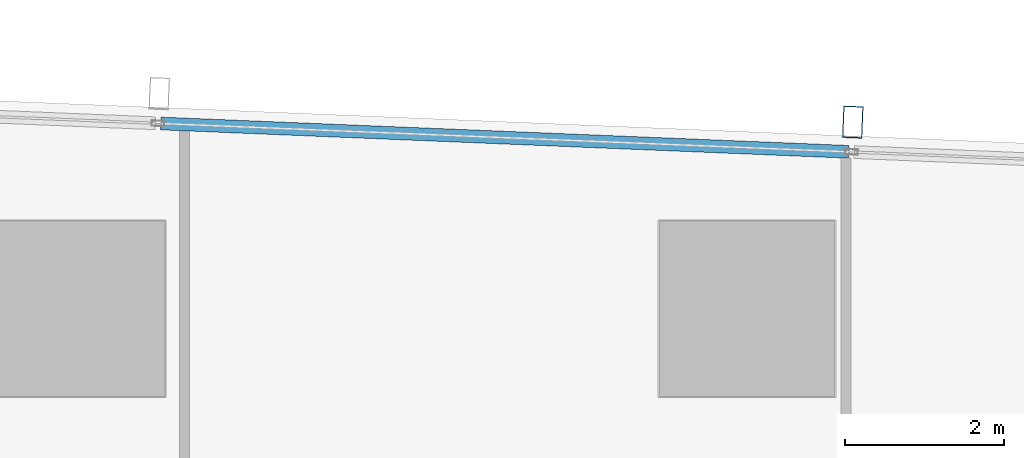
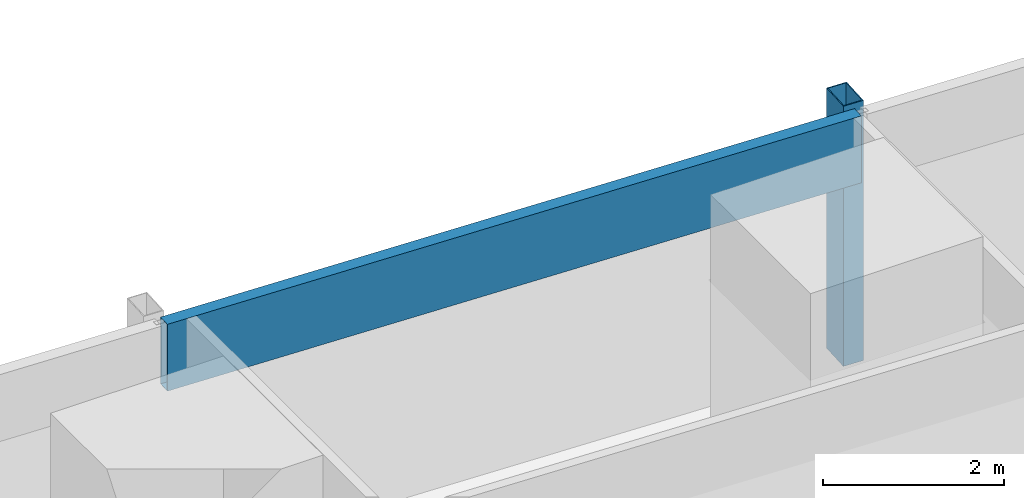
# One storey, part 24 of 45: 2 members, 1 element without a shape of its own.
"""IFC4 building model written with IfcOpenShell, lengths in metres."""

from ifc_helpers import new_model, si_unit, direction, frame, origin, origin_2d, place, context, subcontext, project, spatial, hollow_rectangle, extrude, material, material_profile, profile_set, type_object, element, aggregate, save


model = new_model("IFC4")

# Units and contexts
model_context = context("Model", 3, precision=1e-05, world=origin(), true_north=direction((0.0, 1.0)))
body_context = subcontext(model_context, "Body", "Model", "MODEL_VIEW")
ifc_project = project(units=[si_unit("LENGTHUNIT", "METRE"), si_unit("AREAUNIT", "SQUARE_METRE"), si_unit("VOLUMEUNIT", "CUBIC_METRE"), si_unit("PLANEANGLEUNIT", "RADIAN"), si_unit("MASSUNIT", "GRAM", prefix="KILO")], contexts=[model_context])

# Site, building, storey
site_placement = place(None, origin())
site = spatial("IfcSite", under=ifc_project, at=site_placement, CompositionType="ELEMENT")
building_placement = place(site_placement, origin())
building = spatial("IfcBuilding", under=site, at=building_placement, Name="Rekha Terrace Tower", CompositionType="ELEMENT")
storey_placement = place(building_placement, frame((0.0, 0.0, 32.89990234375)))
storey = spatial("IfcBuildingStorey", under=building, at=storey_placement, Name="L07", CompositionType="ELEMENT", Elevation=32.89990234375)

# Curtain wall, members
ifc_material_1 = material(Name="Aluminium framing", Category="aluminium")
curtain_wall_type = type_object("IfcCurtainWallType", Name="CW3 north unitised glazing", PredefinedType="USERDEFINED", material=ifc_material_1)
curtain_wall_placement = place(storey_placement, origin())
curtain_wall = element("IfcCurtainWall", 1, at=curtain_wall_placement, inside=storey, type_object=curtain_wall_type, Name="CW3 unitised curtain wall", ObjectType="UNITISED CURTAIN WALL", PredefinedType="USERDEFINED")
ifc_material_2 = material(Name="Steel S355 with fluorocarbon finish", Category="steel")
ifc_material_profile_1 = material_profile(ifc_material_2, hollow_rectangle(XDim=0.25, YDim=0.39990234375, WallThickness=0.012451171875, at=origin_2d()), Name="RHS400x250x12.5")
ifc_profile_set_1 = profile_set([ifc_material_profile_1], Name="Steel S355 with fluorocarbon finish")
member_type_1 = type_object("IfcMemberType", Name="BL1 facade blade RHS 400 x 250", PredefinedType="USERDEFINED", material=ifc_profile_set_1)
member_1_placement = place(storey_placement, frame((60.126953125, 61.140869140625, 0.0), z_axis=(0.0, 0.0, 1.0), x_axis=(-0.99915196507, 0.041174636562, 0.0)))
member_1 = element("IfcMember", 2, at=member_1_placement, type_object=member_type_1, Name="Facade blade", ObjectType="FACADE BLADE", PredefinedType="USERDEFINED", context=body_context, shape_type="SweptSolid", body=[
    extrude(hollow_rectangle(XDim=0.25, YDim=0.39990234375, WallThickness=0.012451171875, at=origin_2d()), origin(), (0.0, 0.0, 1.0), 3.5),
])
ifc_material_3 = material(Name="Insulated aluminium spandrel box", Category="aluminium")
ifc_material_profile_2 = material_profile(ifc_material_3, hollow_rectangle(XDim=0.159912109375, YDim=0.89990234375, WallThickness=0.0029296875, at=origin_2d()), Name="AL SPANDREL BOX 160x900")
ifc_profile_set_2 = profile_set([ifc_material_profile_2], Name="Insulated aluminium spandrel box")
member_type_2 = type_object("IfcMemberType", Name="CW3 spandrel transom 160 x 900", PredefinedType="USERDEFINED", material=ifc_profile_set_2)
member_2_placement = place(storey_placement, frame((60.07666015625, 60.767578125, 3.050048828125), z_axis=(-0.999152128669, 0.041170666459, 0.0), x_axis=(-0.041170666459, -0.999152128669, 0.0)))
member_2 = element("IfcMember", 3, at=member_2_placement, type_object=member_type_2, Name="CW3 spandrel transom 2", ObjectType="TRANSOM", PredefinedType="USERDEFINED", context=body_context, shape_type="SweptSolid", body=[
    extrude(hollow_rectangle(XDim=0.159912109375, YDim=0.89990234375, WallThickness=0.0029296875, at=origin_2d()), origin(), (0.0, 0.0, 1.0), 8.634033203125),
])
aggregate(curtain_wall, [member_2, member_1])

save(model, "model.ifc")
